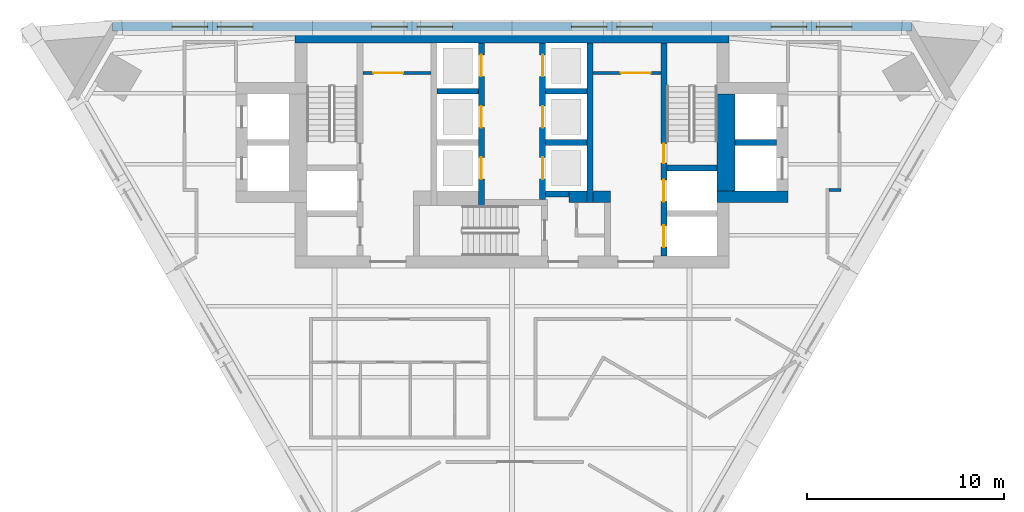
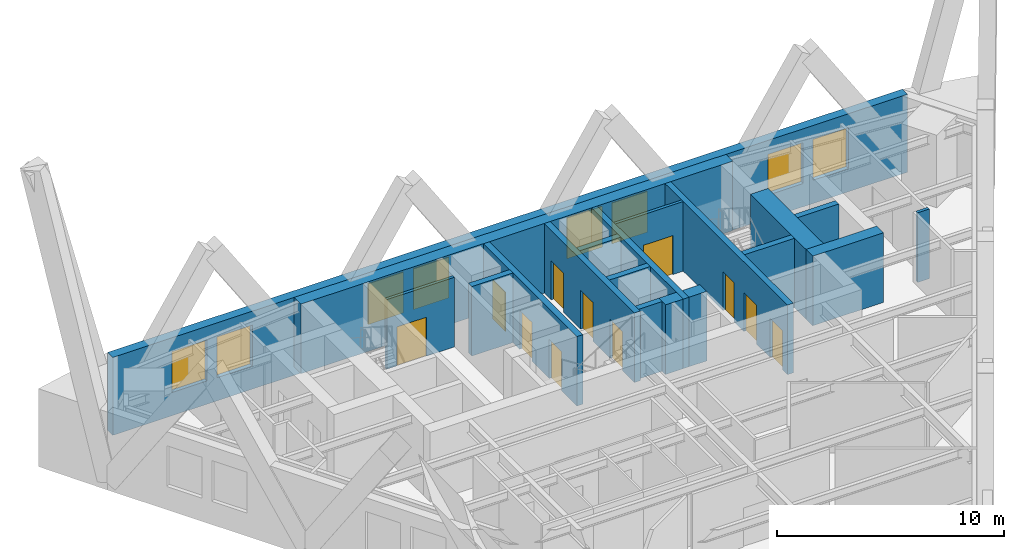
# One storey, part 5 of 8: 19 walls, 11 doors, 8 windows, 19 openings.
"""IFC4 building model written with IfcOpenShell, lengths in metres."""

from ifc_helpers import new_model, si_unit, direction, frame, frame_2d, origin, place, context, subcontext, project, spatial, polyline, rectangle, outline, extrude, material, layer, layer_set, type_object, element, fill, save


model = new_model("IFC4")

# Units and contexts
model_context = context("Model", 3, precision=1e-05, world=origin(), true_north=direction((0.0, 1.0)))
body_context = subcontext(model_context, "Body", "Model", "MODEL_VIEW")
ifc_project = project(units=[si_unit("LENGTHUNIT", "METRE"), si_unit("AREAUNIT", "SQUARE_METRE"), si_unit("VOLUMEUNIT", "CUBIC_METRE"), si_unit("PLANEANGLEUNIT", "RADIAN"), si_unit("MASSUNIT", "GRAM", prefix="KILO")], contexts=[model_context])

# Site, building, storey
site_placement = place(None, origin())
site = spatial("IfcSite", under=ifc_project, at=site_placement, CompositionType="ELEMENT")
building_placement = place(site_placement, origin())
building = spatial("IfcBuilding", under=site, at=building_placement, Name="Aloe Facet Convention Tower", CompositionType="ELEMENT")
storey_placement = place(building_placement, frame((0.0, 0.0, 128.60009765625)))
storey = spatial("IfcBuildingStorey", under=building, at=storey_placement, Name="L32", CompositionType="ELEMENT", Elevation=128.60009765625)

# Wall, opening, door
ifc_material_1 = material(Name="Concrete blockwork partition", Category="masonry")
ifc_layer_1 = layer(ifc_material_1, 0.14990234375)
ifc_layer_set_1 = layer_set([ifc_layer_1], Name="CR-W-PART150")
wall_type_1 = type_object("IfcWallType", Name="CR-W-PART150", PredefinedType="PARTITIONING", material=ifc_layer_set_1)
wall_1_placement = place(storey_placement, frame((72.449951171875, 132.425048828125, 0.0), z_axis=(0.0, 0.0, 1.0), x_axis=(1.0, 0.0, 0.0)))
wall_1 = element("IfcWall", 1, at=wall_1_placement, inside=storey, type_object=wall_type_1, Name="Core partition L32-013", PredefinedType="PARTITIONING", context=body_context, shape_type="SweptSolid", body=[
    extrude(rectangle(XDim=3.449951171875, YDim=0.14990234375, at=frame_2d((1.72509765625, 0.0))), origin(), (0.0, 0.0, 1.0), 3.75),
])
opening_1_placement = place(wall_1_placement, frame((0.52490234375, 0.0, 0.0)))
opening_1 = element("IfcOpeningElement", 2, at=opening_1_placement, cuts=wall_1, Name="Opening L32-CD14", PredefinedType="OPENING", context=body_context, shape_type="SweptSolid", body=[
    extrude(rectangle(XDim=1.5, YDim=2.10009765625, at=frame_2d((0.75, 1.050048828125))), frame((0.0, 0.0849609375, 0.0), z_axis=(0.0, -1.0, 0.0), x_axis=(1.0, 0.0, 0.0)), (0.0, 0.0, 1.0), 0.169921875),
])
ifc_material_2 = material(Name="Steel fire-resisting door set FD60", Category="steel")
door_type_1 = type_object("IfcDoorType", Name="CR-D-REFUGE-1500-FD60-DD", OperationType="DOUBLE_DOOR_DOUBLE_SWING", PredefinedType="DOOR", material=ifc_material_2)
door_1_placement = place(opening_1_placement, origin())
door_1 = element("IfcDoor", 3, at=door_1_placement, inside=storey, type_object=door_type_1, Name="Core door L32-CD14", OperationType="DOUBLE_DOOR_DOUBLE_SWING", OverallHeight=2.10009765625, OverallWidth=1.5, PredefinedType="DOOR", context=body_context, shape_type="SweptSolid", body=[
    extrude(rectangle(XDim=1.5, YDim=2.10009765625, at=frame_2d((0.75, 1.050048828125))), frame((0.0, 0.02490234375, 0.0), z_axis=(0.0, -1.0, 0.0), x_axis=(1.0, 0.0, 0.0)), (0.0, 0.0, 1.0), 0.050048828125),
])
fill(opening_1, door_1)

wall_2_placement = place(storey_placement, frame((84.10009765625, 132.425048828125, 0.0), z_axis=(0.0, 0.0, 1.0), x_axis=(1.0, 0.0, 0.0)))
wall_2 = element("IfcWall", 4, at=wall_2_placement, inside=storey, type_object=wall_type_1, Name="Core partition L32-031", PredefinedType="PARTITIONING", context=body_context, shape_type="SweptSolid", body=[
    extrude(rectangle(XDim=3.449951171875, YDim=0.14990234375, at=frame_2d((1.72509765625, 0.0))), origin(), (0.0, 0.0, 1.0), 3.75),
])
opening_2_placement = place(wall_2_placement, frame((1.425048828125, 0.0, 0.0)))
opening_2 = element("IfcOpeningElement", 5, at=opening_2_placement, cuts=wall_2, Name="Opening L32-CD13", PredefinedType="OPENING", context=body_context, shape_type="SweptSolid", body=[
    extrude(rectangle(XDim=1.5, YDim=2.10009765625, at=frame_2d((0.75, 1.050048828125))), frame((0.0, 0.0849609375, 0.0), z_axis=(0.0, -1.0, 0.0), x_axis=(1.0, 0.0, 0.0)), (0.0, 0.0, 1.0), 0.169921875),
])
door_2_placement = place(opening_2_placement, origin())
door_2 = element("IfcDoor", 6, at=door_2_placement, inside=storey, type_object=door_type_1, Name="Core door L32-CD13", OperationType="DOUBLE_DOOR_DOUBLE_SWING", OverallHeight=2.10009765625, OverallWidth=1.5, PredefinedType="DOOR", context=body_context, shape_type="SweptSolid", body=[
    extrude(rectangle(XDim=1.5, YDim=2.10009765625, at=frame_2d((0.75, 1.050048828125))), frame((0.0, 0.02490234375, 0.0), z_axis=(0.0, -1.0, 0.0), x_axis=(1.0, 0.0, 0.0)), (0.0, 0.0, 1.0), 0.050048828125),
])
fill(opening_2, door_2)

# Wall
ifc_material_3 = material(Name="Concrete C60/75", Category="concrete")
ifc_layer_2 = layer(ifc_material_3, 0.300048828125)
ifc_layer_set_2 = layer_set([ifc_layer_2], Name="CR-W-RC300-C6075")
wall_type_2 = type_object("IfcWallType", Name="CR-W-RC300-C6075", PredefinedType="SOLIDWALL", material=ifc_layer_set_2)
wall_3_placement = place(storey_placement, frame((76.199951171875, 131.5, 0.0), z_axis=(0.0, 0.0, 1.0), x_axis=(1.0, 0.0, 0.0)))
element("IfcWall", 7, at=wall_3_placement, inside=storey, type_object=wall_type_2, Name="Core wall L32-017", PredefinedType="SOLIDWALL", context=body_context, shape_type="SweptSolid", body=[
    extrude(rectangle(XDim=2.10009765625, YDim=0.300048828125, at=frame_2d((1.050048828125, 0.0))), origin(), (0.0, 0.0, 1.0), 3.75),
])

# Wall, openings, doors
wall_4_placement = place(storey_placement, frame((78.449951171875, 133.949951171875, 0.0), z_axis=(0.0, 0.0, 1.0), x_axis=(0.0, -1.0, 0.0)))
wall_4 = element("IfcWall", 8, at=wall_4_placement, inside=storey, type_object=wall_type_2, Name="Core wall L32-020", PredefinedType="SOLIDWALL", context=body_context, shape_type="SweptSolid", body=[
    extrude(rectangle(XDim=8.25, YDim=0.300048828125, at=frame_2d((4.125, 0.0))), origin(), (0.0, 0.0, 1.0), 3.75),
])
opening_3_placement = place(wall_4_placement, frame((0.60009765625, 0.0, 0.0)))
opening_3 = element("IfcOpeningElement", 9, at=opening_3_placement, cuts=wall_4, Name="Opening LD-B1-L32", PredefinedType="OPENING", context=body_context, shape_type="SweptSolid", body=[
    extrude(rectangle(XDim=1.10009765625, YDim=2.10009765625, at=frame_2d((0.550048828125, 1.050048828125))), frame((0.0, 0.16015625, 0.0), z_axis=(0.0, -1.0, 0.0), x_axis=(1.0, 0.0, 0.0)), (0.0, 0.0, 1.0), 0.320068359375),
])
opening_4_placement = place(wall_4_placement, frame((3.199951171875, 0.0, 0.0)))
opening_4 = element("IfcOpeningElement", 10, at=opening_4_placement, cuts=wall_4, Name="Opening LD-B2-L32", PredefinedType="OPENING", context=body_context, shape_type="SweptSolid", body=[
    extrude(rectangle(XDim=1.10009765625, YDim=2.10009765625, at=frame_2d((0.550048828125, 1.050048828125))), frame((0.0, 0.16015625, 0.0), z_axis=(0.0, -1.0, 0.0), x_axis=(1.0, 0.0, 0.0)), (0.0, 0.0, 1.0), 0.320068359375),
])
opening_5_placement = place(wall_4_placement, frame((5.800048828125, 0.0, 0.0)))
opening_5 = element("IfcOpeningElement", 11, at=opening_5_placement, cuts=wall_4, Name="Opening LD-B3-L32", PredefinedType="OPENING", context=body_context, shape_type="SweptSolid", body=[
    extrude(rectangle(XDim=1.10009765625, YDim=2.10009765625, at=frame_2d((0.550048828125, 1.050048828125))), frame((0.0, 0.16015625, 0.0), z_axis=(0.0, -1.0, 0.0), x_axis=(1.0, 0.0, 0.0)), (0.0, 0.0, 1.0), 0.320068359375),
])
ifc_material_4 = material(Name="Stainless steel sliding landing door", Category="steel")
door_type_2 = type_object("IfcDoorType", Name="CR-LD-1100-FD60-RIGHT", OperationType="SLIDING_TO_RIGHT", PredefinedType="DOOR", material=ifc_material_4)
door_3_placement = place(opening_3_placement, origin())
door_3 = element("IfcDoor", 12, at=door_3_placement, inside=storey, type_object=door_type_2, Name="Landing door B1 L32", OperationType="SLIDING_TO_RIGHT", OverallHeight=2.10009765625, OverallWidth=1.10009765625, PredefinedType="DOOR", context=body_context, shape_type="SweptSolid", body=[
    extrude(rectangle(XDim=1.10009765625, YDim=2.10009765625, at=frame_2d((0.550048828125, 1.050048828125))), frame((0.0, 0.02490234375, 0.0), z_axis=(0.0, -1.0, 0.0), x_axis=(1.0, 0.0, 0.0)), (0.0, 0.0, 1.0), 0.050048828125),
])
fill(opening_3, door_3)
door_4_placement = place(opening_4_placement, origin())
door_4 = element("IfcDoor", 13, at=door_4_placement, inside=storey, type_object=door_type_2, Name="Landing door B2 L32", OperationType="SLIDING_TO_RIGHT", OverallHeight=2.10009765625, OverallWidth=1.10009765625, PredefinedType="DOOR", context=body_context, shape_type="SweptSolid", body=[
    extrude(rectangle(XDim=1.10009765625, YDim=2.10009765625, at=frame_2d((0.550048828125, 1.050048828125))), frame((0.0, 0.02490234375, 0.0), z_axis=(0.0, -1.0, 0.0), x_axis=(1.0, 0.0, 0.0)), (0.0, 0.0, 1.0), 0.050048828125),
])
fill(opening_4, door_4)
door_5_placement = place(opening_5_placement, origin())
door_5 = element("IfcDoor", 14, at=door_5_placement, inside=storey, type_object=door_type_2, Name="Landing door B3 L32", OperationType="SLIDING_TO_RIGHT", OverallHeight=2.10009765625, OverallWidth=1.10009765625, PredefinedType="DOOR", context=body_context, shape_type="SweptSolid", body=[
    extrude(rectangle(XDim=1.10009765625, YDim=2.10009765625, at=frame_2d((0.550048828125, 1.050048828125))), frame((0.0, 0.02490234375, 0.0), z_axis=(0.0, -1.0, 0.0), x_axis=(1.0, 0.0, 0.0)), (0.0, 0.0, 1.0), 0.050048828125),
])
fill(opening_5, door_5)

wall_5_placement = place(storey_placement, frame((81.550048828125, 133.949951171875, 0.0), z_axis=(0.0, 0.0, 1.0), x_axis=(0.0, -1.0, 0.0)))
wall_5 = element("IfcWall", 15, at=wall_5_placement, inside=storey, type_object=wall_type_2, Name="Core wall L32-022", PredefinedType="SOLIDWALL", context=body_context, shape_type="SweptSolid", body=[
    extrude(rectangle(XDim=7.949951171875, YDim=0.300048828125, at=frame_2d((3.97509765625, 0.0))), origin(), (0.0, 0.0, 1.0), 3.75),
])
opening_6_placement = place(wall_5_placement, frame((0.60009765625, 0.0, 0.0)))
opening_6 = element("IfcOpeningElement", 16, at=opening_6_placement, cuts=wall_5, Name="Opening LD-B4-L32", PredefinedType="OPENING", context=body_context, shape_type="SweptSolid", body=[
    extrude(rectangle(XDim=1.10009765625, YDim=2.10009765625, at=frame_2d((0.550048828125, 1.050048828125))), frame((0.0, 0.16015625, 0.0), z_axis=(0.0, -1.0, 0.0), x_axis=(1.0, 0.0, 0.0)), (0.0, 0.0, 1.0), 0.320068359375),
])
opening_7_placement = place(wall_5_placement, frame((3.199951171875, 0.0, 0.0)))
opening_7 = element("IfcOpeningElement", 17, at=opening_7_placement, cuts=wall_5, Name="Opening LD-B5-L32", PredefinedType="OPENING", context=body_context, shape_type="SweptSolid", body=[
    extrude(rectangle(XDim=1.10009765625, YDim=2.10009765625, at=frame_2d((0.550048828125, 1.050048828125))), frame((0.0, 0.16015625, 0.0), z_axis=(0.0, -1.0, 0.0), x_axis=(1.0, 0.0, 0.0)), (0.0, 0.0, 1.0), 0.320068359375),
])
opening_8_placement = place(wall_5_placement, frame((5.800048828125, 0.0, 0.0)))
opening_8 = element("IfcOpeningElement", 18, at=opening_8_placement, cuts=wall_5, Name="Opening LD-B6-L32", PredefinedType="OPENING", context=body_context, shape_type="SweptSolid", body=[
    extrude(rectangle(XDim=1.10009765625, YDim=2.10009765625, at=frame_2d((0.550048828125, 1.050048828125))), frame((0.0, 0.16015625, 0.0), z_axis=(0.0, -1.0, 0.0), x_axis=(1.0, 0.0, 0.0)), (0.0, 0.0, 1.0), 0.320068359375),
])
ifc_material_5 = material(Name="Stainless steel sliding landing door", Category="steel")
door_type_3 = type_object("IfcDoorType", Name="CR-LD-1100-FD60-_LEFT", OperationType="SLIDING_TO_LEFT", PredefinedType="DOOR", material=ifc_material_5)
door_6_placement = place(opening_6_placement, origin())
door_6 = element("IfcDoor", 19, at=door_6_placement, inside=storey, type_object=door_type_3, Name="Landing door B4 L32", OperationType="SLIDING_TO_LEFT", OverallHeight=2.10009765625, OverallWidth=1.10009765625, PredefinedType="DOOR", context=body_context, shape_type="SweptSolid", body=[
    extrude(rectangle(XDim=1.10009765625, YDim=2.10009765625, at=frame_2d((0.550048828125, 1.050048828125))), frame((0.0, 0.02490234375, 0.0), z_axis=(0.0, -1.0, 0.0), x_axis=(1.0, 0.0, 0.0)), (0.0, 0.0, 1.0), 0.050048828125),
])
fill(opening_6, door_6)
door_7_placement = place(opening_7_placement, origin())
door_7 = element("IfcDoor", 20, at=door_7_placement, inside=storey, type_object=door_type_3, Name="Landing door B5 L32", OperationType="SLIDING_TO_LEFT", OverallHeight=2.10009765625, OverallWidth=1.10009765625, PredefinedType="DOOR", context=body_context, shape_type="SweptSolid", body=[
    extrude(rectangle(XDim=1.10009765625, YDim=2.10009765625, at=frame_2d((0.550048828125, 1.050048828125))), frame((0.0, 0.02490234375, 0.0), z_axis=(0.0, -1.0, 0.0), x_axis=(1.0, 0.0, 0.0)), (0.0, 0.0, 1.0), 0.050048828125),
])
fill(opening_7, door_7)
door_8_placement = place(opening_8_placement, origin())
door_8 = element("IfcDoor", 21, at=door_8_placement, inside=storey, type_object=door_type_3, Name="Landing door B6 L32", OperationType="SLIDING_TO_LEFT", OverallHeight=2.10009765625, OverallWidth=1.10009765625, PredefinedType="DOOR", context=body_context, shape_type="SweptSolid", body=[
    extrude(rectangle(XDim=1.10009765625, YDim=2.10009765625, at=frame_2d((0.550048828125, 1.050048828125))), frame((0.0, 0.02490234375, 0.0), z_axis=(0.0, -1.0, 0.0), x_axis=(1.0, 0.0, 0.0)), (0.0, 0.0, 1.0), 0.050048828125),
])
fill(opening_8, door_8)

# Walls
for number, where, z_axis, x_axis, name in (
    (22, (81.699951171875, 131.5, 0.0), (0.0, 0.0, 1.0), (1.0, 0.0, 0.0), "Core wall L32-024"),
    (23, (81.699951171875, 128.89990234375, 0.0), (0.0, 0.0, 1.0), (1.0, 0.0, 0.0), "Core wall L32-025"),
):
    element("IfcWall", number, at=place(storey_placement, frame(where, z_axis=z_axis, x_axis=x_axis)), inside=storey, type_object=wall_type_2, Name=name, PredefinedType="SOLIDWALL", context=body_context, shape_type="SweptSolid", body=[
        extrude(rectangle(XDim=2.10009765625, YDim=0.300048828125, at=frame_2d((1.050048828125, 0.0))), origin(), (0.0, 0.0, 1.0), 3.75),
    ])
wall_6_placement = place(storey_placement, frame((81.699951171875, 126.300048828125, 0.0), z_axis=(0.0, 0.0, 1.0), x_axis=(1.0, 0.0, 0.0)))
element("IfcWall", 24, at=wall_6_placement, inside=storey, type_object=wall_type_2, Name="Core wall L32-026", PredefinedType="SOLIDWALL", context=body_context, shape_type="SweptSolid", body=[
    extrude(rectangle(XDim=1.199951171875, YDim=0.300048828125, at=frame_2d((0.60009765625, 0.0))), origin(), (0.0, 0.0, 1.0), 3.75),
])
wall_7_placement = place(storey_placement, frame((83.949951171875, 133.949951171875, 0.0), z_axis=(0.0, 0.0, 1.0), x_axis=(0.0, -1.0, 0.0)))
element("IfcWall", 25, at=wall_7_placement, inside=storey, type_object=wall_type_2, Name="Core wall L32-030", PredefinedType="SOLIDWALL", context=body_context, shape_type="SweptSolid", body=[
    extrude(rectangle(XDim=8.099853515625, YDim=0.300048828125, at=frame_2d((4.0498046875, 0.0))), origin(), (0.0, 0.0, 1.0), 3.75),
])

# Wall, openings, doors
wall_8_placement = place(storey_placement, frame((87.699951171875, 133.949951171875, 0.0), z_axis=(0.0, 0.0, 1.0), x_axis=(0.0, -1.0, 0.0)))
wall_8 = element("IfcWall", 26, at=wall_8_placement, inside=storey, type_object=wall_type_2, Name="Core wall L32-034", PredefinedType="SOLIDWALL", context=body_context, shape_type="SweptSolid", body=[
    extrude(rectangle(XDim=10.800048828125, YDim=0.300048828125, at=frame_2d((5.39990234375, 0.0))), origin(), (0.0, 0.0, 1.0), 3.75),
])
opening_9_placement = place(wall_8_placement, frame((6.949951171875, 0.0, 0.0)))
opening_9 = element("IfcOpeningElement", 27, at=opening_9_placement, cuts=wall_8, Name="Opening LD-FF2-L32", PredefinedType="OPENING", context=body_context, shape_type="SweptSolid", body=[
    extrude(rectangle(XDim=1.10009765625, YDim=2.10009765625, at=frame_2d((0.550048828125, 1.050048828125))), frame((0.0, 0.16015625, 0.0), z_axis=(0.0, -1.0, 0.0), x_axis=(1.0, 0.0, 0.0)), (0.0, 0.0, 1.0), 0.320068359375),
])
opening_10_placement = place(wall_8_placement, frame((5.10009765625, 0.0, 0.0)))
opening_10 = element("IfcOpeningElement", 28, at=opening_10_placement, cuts=wall_8, Name="Opening L32-CD21", PredefinedType="OPENING", context=body_context, shape_type="SweptSolid", body=[
    extrude(rectangle(XDim=1.0, YDim=2.10009765625, at=frame_2d((0.5, 1.050048828125))), frame((0.0, 0.16015625, 0.0), z_axis=(0.0, -1.0, 0.0), x_axis=(1.0, 0.0, 0.0)), (0.0, 0.0, 1.0), 0.320068359375),
])
opening_11_placement = place(wall_8_placement, frame((9.25, 0.0, 0.0)))
opening_11 = element("IfcOpeningElement", 29, at=opening_11_placement, cuts=wall_8, Name="Opening LD-SV1-L32", PredefinedType="OPENING", context=body_context, shape_type="SweptSolid", body=[
    extrude(rectangle(XDim=1.10009765625, YDim=2.10009765625, at=frame_2d((0.550048828125, 1.050048828125))), frame((0.0, 0.16015625, 0.0), z_axis=(0.0, -1.0, 0.0), x_axis=(1.0, 0.0, 0.0)), (0.0, 0.0, 1.0), 0.320068359375),
])
ifc_material_6 = material(Name="Steel fire-resisting door set FD120", Category="steel")
door_type_4 = type_object("IfcDoorType", Name="CR-D-STAIR-1000-FD120-SLEFT", OperationType="SINGLE_SWING_LEFT", PredefinedType="DOOR", material=ifc_material_6)
door_9_placement = place(opening_10_placement, origin())
door_9 = element("IfcDoor", 30, at=door_9_placement, inside=storey, type_object=door_type_4, Name="Core door L32-CD21", OperationType="SINGLE_SWING_LEFT", OverallHeight=2.10009765625, OverallWidth=1.0, PredefinedType="DOOR", context=body_context, shape_type="SweptSolid", body=[
    extrude(rectangle(XDim=1.0, YDim=2.10009765625, at=frame_2d((0.5, 1.050048828125))), frame((0.0, 0.02490234375, 0.0), z_axis=(0.0, -1.0, 0.0), x_axis=(1.0, 0.0, 0.0)), (0.0, 0.0, 1.0), 0.050048828125),
])
fill(opening_10, door_9)
ifc_material_7 = material(Name="Stainless steel sliding landing door", Category="steel")
door_type_5 = type_object("IfcDoorType", Name="CR-LD-1100-FD120-_LEFT", OperationType="SLIDING_TO_LEFT", PredefinedType="DOOR", material=ifc_material_7)
door_10_placement = place(opening_9_placement, origin())
door_10 = element("IfcDoor", 31, at=door_10_placement, inside=storey, type_object=door_type_5, Name="Landing door FF2 L32", OperationType="SLIDING_TO_LEFT", OverallHeight=2.10009765625, OverallWidth=1.10009765625, PredefinedType="DOOR", context=body_context, shape_type="SweptSolid", body=[
    extrude(rectangle(XDim=1.10009765625, YDim=2.10009765625, at=frame_2d((0.550048828125, 1.050048828125))), frame((0.0, 0.02490234375, 0.0), z_axis=(0.0, -1.0, 0.0), x_axis=(1.0, 0.0, 0.0)), (0.0, 0.0, 1.0), 0.050048828125),
])
fill(opening_9, door_10)
door_11_placement = place(opening_11_placement, origin())
door_11 = element("IfcDoor", 32, at=door_11_placement, inside=storey, type_object=door_type_5, Name="Landing door SV1 L32", OperationType="SLIDING_TO_LEFT", OverallHeight=2.10009765625, OverallWidth=1.10009765625, PredefinedType="DOOR", context=body_context, shape_type="SweptSolid", body=[
    extrude(rectangle(XDim=1.10009765625, YDim=2.10009765625, at=frame_2d((0.550048828125, 1.050048828125))), frame((0.0, 0.02490234375, 0.0), z_axis=(0.0, -1.0, 0.0), x_axis=(1.0, 0.0, 0.0)), (0.0, 0.0, 1.0), 0.050048828125),
])
fill(opening_11, door_11)

# Walls
wall_9_placement = place(storey_placement, frame((87.85009765625, 127.60009765625, 0.0), z_axis=(0.0, 0.0, 1.0), x_axis=(1.0, 0.0, 0.0)))
element("IfcWall", 33, at=wall_9_placement, inside=storey, type_object=wall_type_2, Name="Core wall L32-035", PredefinedType="SOLIDWALL", context=body_context, shape_type="SweptSolid", body=[
    extrude(rectangle(XDim=2.5498046875, YDim=0.300048828125, at=frame_2d((1.27490234375, 0.0))), origin(), (0.0, 0.0, 1.0), 3.75),
])
wall_10_placement = place(storey_placement, frame((91.300048828125, 128.89990234375, 0.0), z_axis=(0.0, 0.0, 1.0), x_axis=(1.0, 0.0, 0.0)))
element("IfcWall", 34, at=wall_10_placement, inside=storey, type_object=wall_type_2, Name="Core wall L32-042", PredefinedType="SOLIDWALL", context=body_context, shape_type="SweptSolid", body=[
    extrude(rectangle(XDim=2.099853515625, YDim=0.300048828125, at=frame_2d((1.0498046875, 0.0))), origin(), (0.0, 0.0, 1.0), 3.75),
])
ifc_material_8 = material(Name="Concrete C60/75", Category="concrete")
ifc_layer_3 = layer(ifc_material_8, 0.60009765625)
ifc_layer_set_3 = layer_set([ifc_layer_3], Name="CR-W-RC600-C6075")
wall_type_3 = type_object("IfcWallType", Name="CR-W-RC600-C6075", PredefinedType="SOLIDWALL", material=ifc_layer_set_3)
wall_11_placement = place(storey_placement, frame((69.0, 134.25, 0.0), z_axis=(0.0, 0.0, 1.0), x_axis=(1.0, 0.0, 0.0)))
element("IfcWall", 35, at=wall_11_placement, inside=storey, type_object=wall_type_3, Name="Core wall L32-006", PredefinedType="SOLIDWALL", context=body_context, shape_type="SweptSolid", body=[
    extrude(rectangle(XDim=22.0, YDim=0.60009765625, at=frame_2d((11.0, 0.0))), origin(), (0.0, 0.0, 1.0), 3.75),
])
wall_12_placement = place(storey_placement, frame((82.89990234375, 126.14990234375, 0.0), z_axis=(0.0, 0.0, 1.0), x_axis=(1.0, 0.0, 0.0)))
element("IfcWall", 36, at=wall_12_placement, inside=storey, type_object=wall_type_3, Name="Core wall L32-027", PredefinedType="SOLIDWALL", context=body_context, shape_type="SweptSolid", body=[
    extrude(rectangle(XDim=0.900146484375, YDim=0.60009765625, at=frame_2d((0.4501953125, 0.0))), origin(), (0.0, 0.0, 1.0), 3.75),
])
wall_13_placement = place(storey_placement, frame((84.10009765625, 126.14990234375, 0.0), z_axis=(0.0, 0.0, 1.0), x_axis=(1.0, 0.0, 0.0)))
element("IfcWall", 37, at=wall_13_placement, inside=storey, type_object=wall_type_3, Name="Core wall L32-032", PredefinedType="SOLIDWALL", context=body_context, shape_type="SweptSolid", body=[
    extrude(rectangle(XDim=0.89990234375, YDim=0.60009765625, at=frame_2d((0.449951171875, 0.0))), origin(), (0.0, 0.0, 1.0), 3.75),
])
wall_14_placement = place(storey_placement, frame((90.39990234375, 126.14990234375, 0.0), z_axis=(0.0, 0.0, 1.0), x_axis=(1.0, 0.0, 0.0)))
element("IfcWall", 38, at=wall_14_placement, inside=storey, type_object=wall_type_3, Name="Core wall L32-040", PredefinedType="SOLIDWALL", context=body_context, shape_type="SweptSolid", body=[
    extrude(rectangle(XDim=3.60009765625, YDim=0.60009765625, at=frame_2d((1.800048828125, 0.0))), origin(), (0.0, 0.0, 1.0), 3.75),
])
ifc_material_9 = material(Name="Concrete C60/75", Category="concrete")
ifc_layer_4 = layer(ifc_material_9, 0.89990234375)
ifc_layer_set_4 = layer_set([ifc_layer_4], Name="CR-W-RC900-C6075")
wall_type_4 = type_object("IfcWallType", Name="CR-W-RC900-C6075", PredefinedType="SOLIDWALL", material=ifc_layer_set_4)
wall_15_placement = place(storey_placement, frame((90.85009765625, 131.35009765625, 0.0), z_axis=(0.0, 0.0, 1.0), x_axis=(0.0, -1.0, 0.0)))
element("IfcWall", 39, at=wall_15_placement, inside=storey, type_object=wall_type_4, Name="Core wall L32-039", PredefinedType="SOLIDWALL", context=body_context, shape_type="SweptSolid", body=[
    extrude(rectangle(XDim=4.900146484375, YDim=0.89990234375, at=frame_2d((2.4501953125, 0.0))), origin(), (0.0, 0.0, 1.0), 3.75),
])

# Wall, openings, windows
ifc_material_10 = material(Name="Precast concrete C40/50", Category="concrete")
ifc_layer_5 = layer(ifc_material_10, 0.449951171875)
ifc_layer_set_5 = layer_set([ifc_layer_5], Name="EV-WALL-STONE")
wall_type_5 = type_object("IfcWallType", Name="EV-WALL-STONE", PredefinedType="SOLIDWALL", material=ifc_layer_set_5)
wall_16_placement = place(storey_placement, frame((100.2431640625, 134.77490234375, -0.4501953125), z_axis=(0.0, 0.0, 1.0), x_axis=(-1.0, 0.0, 0.0)))
wall_16 = element("IfcWall", 40, at=wall_16_placement, inside=storey, type_object=wall_type_5, Name="EW-L32-N01", PredefinedType="SOLIDWALL", context=body_context, shape_type="SweptSolid", body=[
    extrude(outline(polyline([(40.486083984375, 0.0), (40.486083984375, 4.2001953125), (0.0, 4.2001953125), (0.0, 0.0), (40.486083984375, 0.0)])), frame((0.0, 0.22509765625, 0.0), z_axis=(0.0, -1.0, 0.0), x_axis=(1.0, 0.0, 0.0)), (0.0, 0.0, 1.0), 0.449951171875),
])
opening_12_placement = place(wall_16_placement, frame((3.0107421875, 0.0, 1.25)))
opening_12 = element("IfcOpeningElement", 41, at=opening_12_placement, cuts=wall_16, Name="Opening W-L32-N01", PredefinedType="OPENING", context=body_context, shape_type="SweptSolid", body=[
    extrude(rectangle(XDim=1.800048828125, YDim=2.199951171875, at=frame_2d((0.89990234375, 1.10009765625))), frame((0.0, 0.23486328125, 0.0), z_axis=(0.0, -1.0, 0.0), x_axis=(1.0, 0.0, 0.0)), (0.0, 0.0, 1.0), 0.469970703125),
])
opening_13_placement = place(wall_16_placement, frame((5.310791015625, 0.0, 1.25)))
opening_13 = element("IfcOpeningElement", 42, at=opening_13_placement, cuts=wall_16, Name="Opening W-L32-N02", PredefinedType="OPENING", context=body_context, shape_type="SweptSolid", body=[
    extrude(rectangle(XDim=1.800048828125, YDim=2.199951171875, at=frame_2d((0.89990234375, 1.10009765625))), frame((0.0, 0.23486328125, 0.0), z_axis=(0.0, -1.0, 0.0), x_axis=(1.0, 0.0, 0.0)), (0.0, 0.0, 1.0), 0.469970703125),
])
opening_14_placement = place(wall_16_placement, frame((13.13232421875, 0.0, 1.25)))
opening_14 = element("IfcOpeningElement", 43, at=opening_14_placement, cuts=wall_16, Name="Opening W-L32-N03", PredefinedType="OPENING", context=body_context, shape_type="SweptSolid", body=[
    extrude(rectangle(XDim=1.800048828125, YDim=2.199951171875, at=frame_2d((0.89990234375, 1.10009765625))), frame((0.0, 0.23486328125, 0.0), z_axis=(0.0, -1.0, 0.0), x_axis=(1.0, 0.0, 0.0)), (0.0, 0.0, 1.0), 0.469970703125),
])
opening_15_placement = place(wall_16_placement, frame((15.432373046875, 0.0, 1.25)))
opening_15 = element("IfcOpeningElement", 44, at=opening_15_placement, cuts=wall_16, Name="Opening W-L32-N04", PredefinedType="OPENING", context=body_context, shape_type="SweptSolid", body=[
    extrude(rectangle(XDim=1.800048828125, YDim=2.199951171875, at=frame_2d((0.89990234375, 1.10009765625))), frame((0.0, 0.23486328125, 0.0), z_axis=(0.0, -1.0, 0.0), x_axis=(1.0, 0.0, 0.0)), (0.0, 0.0, 1.0), 0.469970703125),
])
opening_16_placement = place(wall_16_placement, frame((23.25390625, 0.0, 1.25)))
opening_16 = element("IfcOpeningElement", 45, at=opening_16_placement, cuts=wall_16, Name="Opening W-L32-N05", PredefinedType="OPENING", context=body_context, shape_type="SweptSolid", body=[
    extrude(rectangle(XDim=1.800048828125, YDim=2.199951171875, at=frame_2d((0.89990234375, 1.10009765625))), frame((0.0, 0.23486328125, 0.0), z_axis=(0.0, -1.0, 0.0), x_axis=(1.0, 0.0, 0.0)), (0.0, 0.0, 1.0), 0.469970703125),
])
opening_17_placement = place(wall_16_placement, frame((25.553955078125, 0.0, 1.25)))
opening_17 = element("IfcOpeningElement", 46, at=opening_17_placement, cuts=wall_16, Name="Opening W-L32-N06", PredefinedType="OPENING", context=body_context, shape_type="SweptSolid", body=[
    extrude(rectangle(XDim=1.800048828125, YDim=2.199951171875, at=frame_2d((0.89990234375, 1.10009765625))), frame((0.0, 0.23486328125, 0.0), z_axis=(0.0, -1.0, 0.0), x_axis=(1.0, 0.0, 0.0)), (0.0, 0.0, 1.0), 0.469970703125),
])
opening_18_placement = place(wall_16_placement, frame((33.37548828125, 0.0, 1.25)))
opening_18 = element("IfcOpeningElement", 47, at=opening_18_placement, cuts=wall_16, Name="Opening W-L32-N07", PredefinedType="OPENING", context=body_context, shape_type="SweptSolid", body=[
    extrude(rectangle(XDim=1.800048828125, YDim=2.199951171875, at=frame_2d((0.89990234375, 1.10009765625))), frame((0.0, 0.23486328125, 0.0), z_axis=(0.0, -1.0, 0.0), x_axis=(1.0, 0.0, 0.0)), (0.0, 0.0, 1.0), 0.469970703125),
])
opening_19_placement = place(wall_16_placement, frame((35.67529296875, 0.0, 1.25)))
opening_19 = element("IfcOpeningElement", 48, at=opening_19_placement, cuts=wall_16, Name="Opening W-L32-N08", PredefinedType="OPENING", context=body_context, shape_type="SweptSolid", body=[
    extrude(rectangle(XDim=1.800048828125, YDim=2.199951171875, at=frame_2d((0.89990234375, 1.10009765625))), frame((0.0, 0.23486328125, 0.0), z_axis=(0.0, -1.0, 0.0), x_axis=(1.0, 0.0, 0.0)), (0.0, 0.0, 1.0), 0.469970703125),
])
ifc_material_11 = material(Name="Aluminium frame, clear double glazing", Category="aluminium")
window_type = type_object("IfcWindowType", Name="EV-WIN-O18", PartitioningType="SINGLE_PANEL", PredefinedType="WINDOW", material=ifc_material_11)
window_1_placement = place(opening_12_placement, origin())
window_1 = element("IfcWindow", 49, at=window_1_placement, inside=storey, type_object=window_type, Name="W-L32-N01", OverallHeight=2.199951171875, OverallWidth=1.800048828125, PartitioningType="SINGLE_PANEL", PredefinedType="WINDOW", context=body_context, shape_type="SweptSolid", body=[
    extrude(rectangle(XDim=1.800048828125, YDim=2.199951171875, at=frame_2d((0.89990234375, 1.10009765625))), frame((0.0, 0.030029296875, 0.0), z_axis=(0.0, -1.0, 0.0), x_axis=(1.0, 0.0, 0.0)), (0.0, 0.0, 1.0), 0.06005859375),
])
fill(opening_12, window_1)
window_2_placement = place(opening_13_placement, origin())
window_2 = element("IfcWindow", 50, at=window_2_placement, inside=storey, type_object=window_type, Name="W-L32-N02", OverallHeight=2.199951171875, OverallWidth=1.800048828125, PartitioningType="SINGLE_PANEL", PredefinedType="WINDOW", context=body_context, shape_type="SweptSolid", body=[
    extrude(rectangle(XDim=1.800048828125, YDim=2.199951171875, at=frame_2d((0.89990234375, 1.10009765625))), frame((0.0, 0.030029296875, 0.0), z_axis=(0.0, -1.0, 0.0), x_axis=(1.0, 0.0, 0.0)), (0.0, 0.0, 1.0), 0.06005859375),
])
fill(opening_13, window_2)
window_3_placement = place(opening_14_placement, origin())
window_3 = element("IfcWindow", 51, at=window_3_placement, inside=storey, type_object=window_type, Name="W-L32-N03", OverallHeight=2.199951171875, OverallWidth=1.800048828125, PartitioningType="SINGLE_PANEL", PredefinedType="WINDOW", context=body_context, shape_type="SweptSolid", body=[
    extrude(rectangle(XDim=1.800048828125, YDim=2.199951171875, at=frame_2d((0.89990234375, 1.10009765625))), frame((0.0, 0.030029296875, 0.0), z_axis=(0.0, -1.0, 0.0), x_axis=(1.0, 0.0, 0.0)), (0.0, 0.0, 1.0), 0.06005859375),
])
fill(opening_14, window_3)
window_4_placement = place(opening_15_placement, origin())
window_4 = element("IfcWindow", 52, at=window_4_placement, inside=storey, type_object=window_type, Name="W-L32-N04", OverallHeight=2.199951171875, OverallWidth=1.800048828125, PartitioningType="SINGLE_PANEL", PredefinedType="WINDOW", context=body_context, shape_type="SweptSolid", body=[
    extrude(rectangle(XDim=1.800048828125, YDim=2.199951171875, at=frame_2d((0.89990234375, 1.10009765625))), frame((0.0, 0.030029296875, 0.0), z_axis=(0.0, -1.0, 0.0), x_axis=(1.0, 0.0, 0.0)), (0.0, 0.0, 1.0), 0.06005859375),
])
fill(opening_15, window_4)
window_5_placement = place(opening_16_placement, origin())
window_5 = element("IfcWindow", 53, at=window_5_placement, inside=storey, type_object=window_type, Name="W-L32-N05", OverallHeight=2.199951171875, OverallWidth=1.800048828125, PartitioningType="SINGLE_PANEL", PredefinedType="WINDOW", context=body_context, shape_type="SweptSolid", body=[
    extrude(rectangle(XDim=1.800048828125, YDim=2.199951171875, at=frame_2d((0.89990234375, 1.10009765625))), frame((0.0, 0.030029296875, 0.0), z_axis=(0.0, -1.0, 0.0), x_axis=(1.0, 0.0, 0.0)), (0.0, 0.0, 1.0), 0.06005859375),
])
fill(opening_16, window_5)
window_6_placement = place(opening_17_placement, origin())
window_6 = element("IfcWindow", 54, at=window_6_placement, inside=storey, type_object=window_type, Name="W-L32-N06", OverallHeight=2.199951171875, OverallWidth=1.800048828125, PartitioningType="SINGLE_PANEL", PredefinedType="WINDOW", context=body_context, shape_type="SweptSolid", body=[
    extrude(rectangle(XDim=1.800048828125, YDim=2.199951171875, at=frame_2d((0.89990234375, 1.10009765625))), frame((0.0, 0.030029296875, 0.0), z_axis=(0.0, -1.0, 0.0), x_axis=(1.0, 0.0, 0.0)), (0.0, 0.0, 1.0), 0.06005859375),
])
fill(opening_17, window_6)
window_7_placement = place(opening_18_placement, origin())
window_7 = element("IfcWindow", 55, at=window_7_placement, inside=storey, type_object=window_type, Name="W-L32-N07", OverallHeight=2.199951171875, OverallWidth=1.800048828125, PartitioningType="SINGLE_PANEL", PredefinedType="WINDOW", context=body_context, shape_type="SweptSolid", body=[
    extrude(rectangle(XDim=1.800048828125, YDim=2.199951171875, at=frame_2d((0.89990234375, 1.10009765625))), frame((0.0, 0.030029296875, 0.0), z_axis=(0.0, -1.0, 0.0), x_axis=(1.0, 0.0, 0.0)), (0.0, 0.0, 1.0), 0.06005859375),
])
fill(opening_18, window_7)
window_8_placement = place(opening_19_placement, origin())
window_8 = element("IfcWindow", 56, at=window_8_placement, inside=storey, type_object=window_type, Name="W-L32-N08", OverallHeight=2.199951171875, OverallWidth=1.800048828125, PartitioningType="SINGLE_PANEL", PredefinedType="WINDOW", context=body_context, shape_type="SweptSolid", body=[
    extrude(rectangle(XDim=1.800048828125, YDim=2.199951171875, at=frame_2d((0.89990234375, 1.10009765625))), frame((0.0, 0.030029296875, 0.0), z_axis=(0.0, -1.0, 0.0), x_axis=(1.0, 0.0, 0.0)), (0.0, 0.0, 1.0), 0.06005859375),
])
fill(opening_19, window_8)

# Wall
ifc_material_12 = material(Name="Gypsum board partition on steel studs", Category="steel")
ifc_layer_6 = layer(ifc_material_12, 0.14990234375)
ifc_layer_set_6 = layer_set([ifc_layer_6], Name="IN-W-CORR")
wall_type_6 = type_object("IfcWallType", Name="IN-W-CORR", PredefinedType="PARTITIONING", material=ifc_layer_set_6)
wall_17_placement = place(storey_placement, frame((96.074951171875, 126.5, 0.0), z_axis=(0.0, 0.0, 1.0), x_axis=(1.0, 0.0, 0.0)))
element("IfcWall", 57, at=wall_17_placement, inside=storey, type_object=wall_type_6, Name="Partition L32-W034", PredefinedType="PARTITIONING", context=body_context, shape_type="SweptSolid", body=[
    extrude(rectangle(XDim=0.60009765625, YDim=0.14990234375, at=frame_2d((0.300048828125, 0.0))), origin(), (0.0, 0.0, 1.0), 3.75),
])

save(model, "model.ifc")
